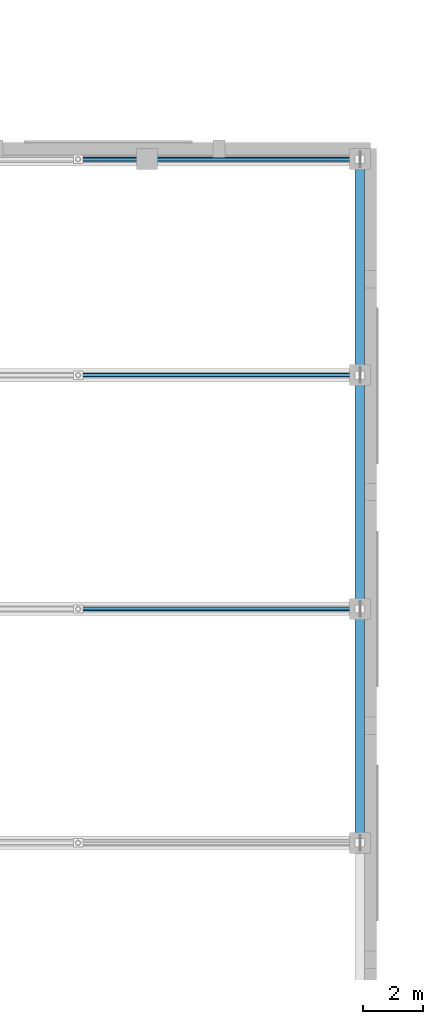
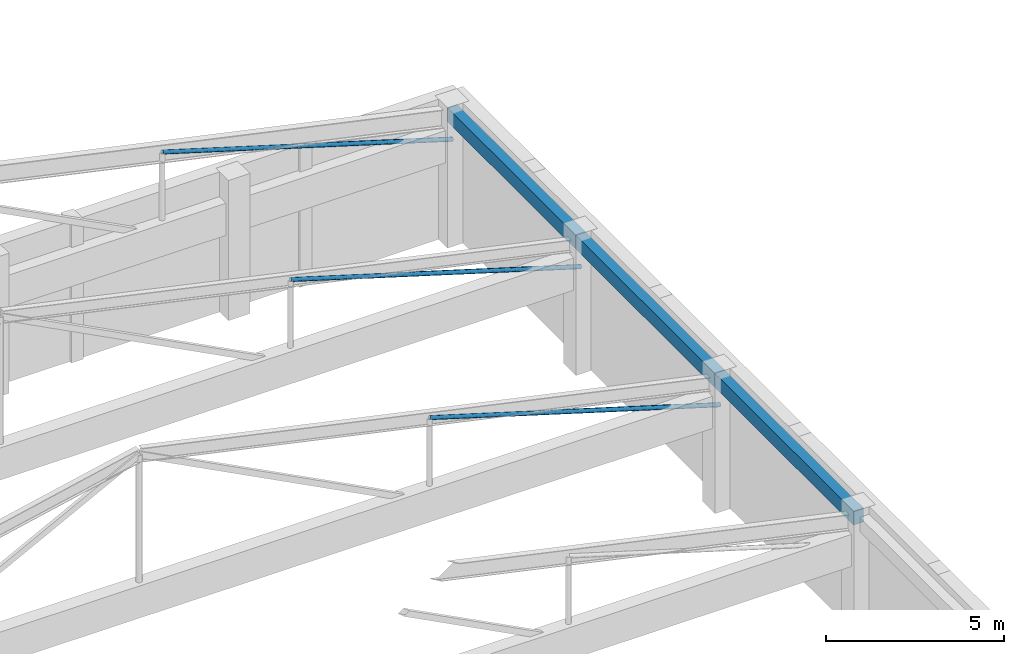
# One storey, part 42 of 105: 3 beams, 3 members.
"""IFC4 building model written with IfcOpenShell, lengths in metres."""

from ifc_helpers import new_model, si_unit, direction, frame, origin, origin_2d, place, context, subcontext, project, spatial, rectangle, hollow_circle, extrude, material, material_profile, profile_set, type_object, element, save


model = new_model("IFC4")

# Units and contexts
model_context = context("Model", 3, precision=1e-05, world=origin(), true_north=direction((0.0, 1.0)))
body_context = subcontext(model_context, "Body", "Model", "MODEL_VIEW")
ifc_project = project(units=[si_unit("LENGTHUNIT", "METRE"), si_unit("AREAUNIT", "SQUARE_METRE"), si_unit("VOLUMEUNIT", "CUBIC_METRE"), si_unit("PLANEANGLEUNIT", "RADIAN"), si_unit("MASSUNIT", "GRAM", prefix="KILO")], contexts=[model_context])

# Site, building, storey
site_placement = place(None, origin())
site = spatial("IfcSite", under=ifc_project, at=site_placement, CompositionType="ELEMENT")
building_placement = place(site_placement, origin())
building = spatial("IfcBuilding", under=site, at=building_placement, Name="Pelvatis Terrace Science Centre", CompositionType="ELEMENT")
storey_placement = place(building_placement, frame((0.0, 0.0, 10.199951171875)))
storey = spatial("IfcBuildingStorey", under=building, at=storey_placement, Name="L02", CompositionType="ELEMENT", Elevation=10.199951171875)

# Beams
ifc_material_1 = material(Name="Concrete C35/45", Category="concrete")
ifc_material_profile_1 = material_profile(ifc_material_1, rectangle(XDim=0.320068359375, YDim=0.47998046875, at=origin_2d()), Name="RC-BM 320x480")
ifc_profile_set_1 = profile_set([ifc_material_profile_1], Name="Concrete C35/45")
beam_type = type_object("IfcBeamType", Name="BM-RC-320x480", PredefinedType="BEAM", material=ifc_profile_set_1)
beam_1_placement = place(storey_placement, frame((46.10009765625, 93.60009765625, 4.300048828125), z_axis=(0.0, 1.0, 0.0), x_axis=(-1.0, 0.0, 0.0)))
element("IfcBeam", 1, at=beam_1_placement, inside=storey, type_object=beam_type, Name="Beam BM-L02-2890", PredefinedType="BEAM", context=body_context, shape_type="SweptSolid", body=[
    extrude(rectangle(XDim=0.320068359375, YDim=0.47998046875, at=origin_2d()), origin(), (0.0, 0.0, 1.0), 7.7998046875),
])
beam_2_placement = place(storey_placement, frame((46.10009765625, 101.39990234375, 4.300048828125), z_axis=(0.0, 1.0, 0.0), x_axis=(-1.0, 0.0, 0.0)))
element("IfcBeam", 2, at=beam_2_placement, inside=storey, type_object=beam_type, Name="Beam BM-L02-2891", PredefinedType="BEAM", context=body_context, shape_type="SweptSolid", body=[
    extrude(rectangle(XDim=0.320068359375, YDim=0.47998046875, at=origin_2d()), origin(), (0.0, 0.0, 1.0), 7.800048828125),
])
beam_3_placement = place(storey_placement, frame((46.10009765625, 109.199951171875, 4.300048828125), z_axis=(0.0, 1.0, 0.0), x_axis=(-1.0, 0.0, 0.0)))
element("IfcBeam", 3, at=beam_3_placement, inside=storey, type_object=beam_type, Name="Beam BM-L02-2892", PredefinedType="BEAM", context=body_context, shape_type="SweptSolid", body=[
    extrude(rectangle(XDim=0.320068359375, YDim=0.47998046875, at=origin_2d()), origin(), (0.0, 0.0, 1.0), 7.199951171875),
])

# Members
ifc_material_2 = material(Name="Structural steel S355", Category="steel")
ifc_material_profile_2 = material_profile(ifc_material_2, hollow_circle(Radius=0.06982421875, WallThickness=0.0048828125, at=origin_2d()), Name="CHS 139.7x5.0")
ifc_profile_set_2 = profile_set([ifc_material_profile_2], Name="Structural steel S355")
member_type = type_object("IfcMemberType", Name="MEM-BRC-CHS140", PredefinedType="BRACE", material=ifc_profile_set_2)
for number, where, z_axis, x_axis, name in (
    (4, (46.10009765625, 101.39990234375, 3.400146484375), (-0.95698697829, 0.0, 0.290130872856), (0.0, -1.0, 0.0), "Theatre truss 5 web 5"),
    (5, (46.10009765625, 109.199951171875, 3.400146484375), (-0.95698697829, 0.0, 0.290130872856), (0.0, -1.0, 0.0), "Theatre truss 6 web 5"),
    (6, (46.10009765625, 116.39990234375, 3.400146484375), (-0.95698697829, 0.0, 0.290130872856), (0.0, -1.0, 0.0), "Theatre truss 7 web 5"),
):
    element("IfcMember", number, at=place(storey_placement, frame(where, z_axis=z_axis, x_axis=x_axis)), inside=storey, type_object=member_type, Name=name, PredefinedType="BRACE", context=body_context, shape_type="SweptSolid", body=[
        extrude(hollow_circle(Radius=0.06982421875, WallThickness=0.0048828125, at=origin_2d()), origin(), (0.0, 0.0, 1.0), 9.82275390625),
    ])

save(model, "model.ifc")
